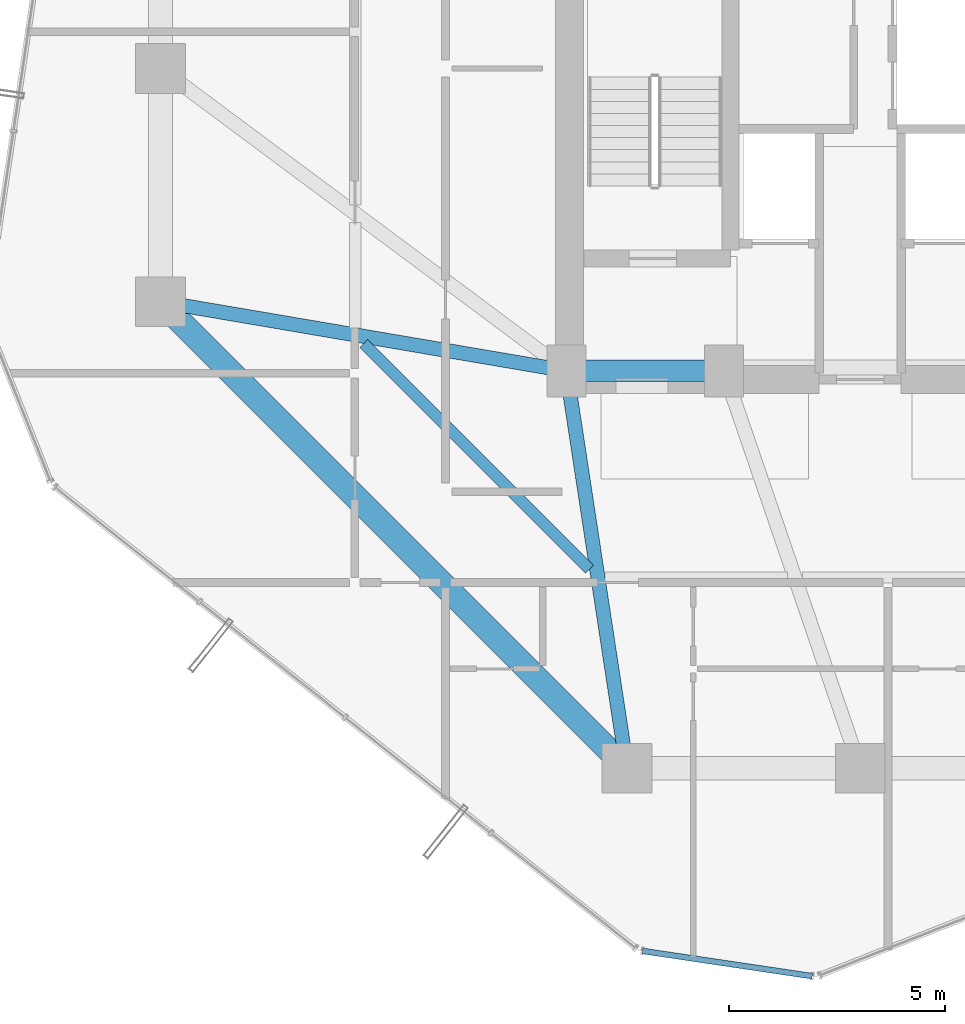
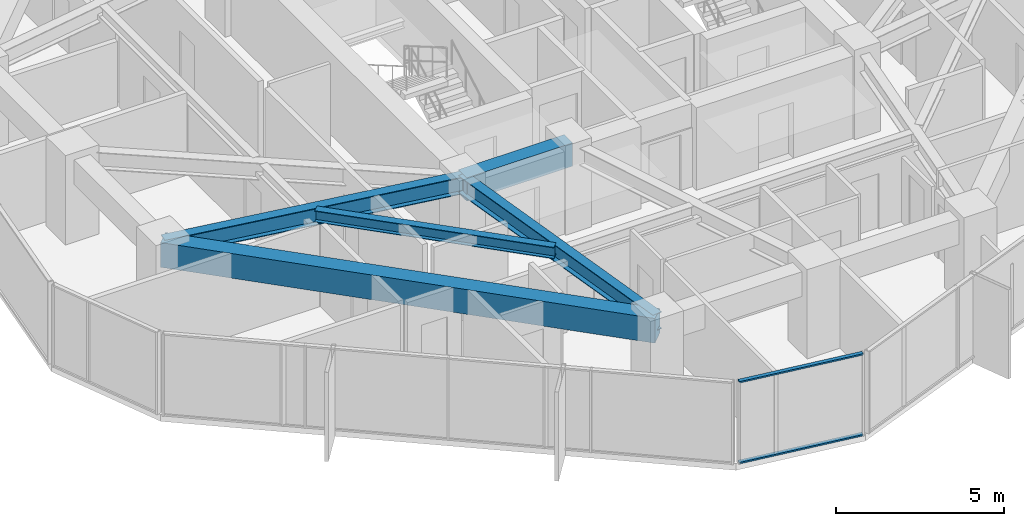
# One storey, part 5 of 29: 5 beams, 2 members, 1 element without a shape of its own.
"""IFC4 building model written with IfcOpenShell, lengths in metres."""

import ifcopenshell
import ifcopenshell.guid

model = None  # the IFC model being written
_history = None  # IfcOwnerHistory: only IFC2X3 demands one
_inside = {}  # id of a spatial element -> (the spatial element, [elements in it])
_under = {}  # id of a project, library or spatial element -> (it, [spatial elements below it])
_declared = {}  # id of a project -> (the project, [libraries it declares])
_typed = {}  # id of a type object -> (the type object, [elements of that type])
_made_of = {}  # id of a material, layer set ... -> (it, [elements and type objects made of it])


def new_model(schema):
    """Start an empty IFC model of exactly this schema.

    Asked for "IFC4X3", IfcOpenShell would pick the latest addendum, in which some entities
    have other attributes; the version numbers below select the first issue.
    IFC2X3 requires an IfcOwnerHistory on every rooted entity: one is made here for all.
    """
    global model, _history
    if schema == "IFC4X3":
        model = ifcopenshell.file(schema_version=(4, 3, 0, 0))
    else:
        model = ifcopenshell.file(schema=schema)
    _inside.clear()
    _under.clear()
    _declared.clear()
    _typed.clear()
    _made_of.clear()
    _history = None
    if model.schema == "IFC2X3":
        org = make("IfcOrganization", Name="unknown")
        user = make(
            "IfcPersonAndOrganization",
            ThePerson=make("IfcPerson", FamilyName="unknown"),
            TheOrganization=org,
        )
        app = make(
            "IfcApplication",
            ApplicationDeveloper=org,
            Version="unknown",
            ApplicationFullName="unknown",
            ApplicationIdentifier="unknown",
        )
        _history = make(
            "IfcOwnerHistory",
            OwningUser=user,
            OwningApplication=app,
            ChangeAction="ADDED",
            CreationDate=0,
        )
    return model


def make(cls, **values):
    """One entity of the class cls with the attributes given. An attribute that is None is left unset."""
    return model.create_entity(
        cls, **{name: value for name, value in values.items() if value is not None}
    )


def rooted(cls, **values):
    """An entity with a GlobalId (a new one), such as an element, a storey or a relation."""
    return make(cls, GlobalId=ifcopenshell.guid.new(), OwnerHistory=_history, **values)


def si_unit(unit_type, name, prefix=None):
    """IfcSIUnit, for example si_unit("LENGTHUNIT", "METRE", prefix="MILLI")."""
    return make("IfcSIUnit", UnitType=unit_type, Prefix=prefix, Name=name)


def assignment(units):
    """IfcUnitAssignment: the units of a project."""
    return None if units is None else make("IfcUnitAssignment", Units=units)


def point(xyz):
    """IfcCartesianPoint."""
    return None if xyz is None else make("IfcCartesianPoint", Coordinates=xyz)


def direction(xyz):
    """IfcDirection."""
    return None if xyz is None else make("IfcDirection", DirectionRatios=xyz)


def frame(location, z_axis=None, x_axis=None):
    """IfcAxis2Placement3D, a coordinate frame: its origin and axes. An axis left out is left unset."""
    return make(
        "IfcAxis2Placement3D",
        Location=point(location),
        Axis=direction(z_axis),
        RefDirection=direction(x_axis),
    )


def frame_2d(location, x_axis=None):
    """IfcAxis2Placement2D, a coordinate frame in the plane: its origin and x axis."""
    return make(
        "IfcAxis2Placement2D", Location=point(location), RefDirection=direction(x_axis)
    )


def origin():
    """The frame at (0, 0, 0) with its axes left unset."""
    return frame((0.0, 0.0, 0.0))


def origin_2d():
    """The frame at (0, 0) in the plane with its x axis left unset."""
    return frame_2d((0.0, 0.0))


def place(relative_to, where):
    """IfcLocalPlacement: puts the frame where relative to a parent placement (None: the world)."""
    return make(
        "IfcLocalPlacement", PlacementRelTo=relative_to, RelativePlacement=where
    )


def context(
    kind, dimensions, precision=None, world=None, true_north=None, identifier=None
):
    """IfcGeometricRepresentationContext, for example the 3D "Model" context."""
    return make(
        "IfcGeometricRepresentationContext",
        ContextIdentifier=identifier,
        ContextType=kind,
        CoordinateSpaceDimension=dimensions,
        Precision=precision,
        WorldCoordinateSystem=world,
        TrueNorth=true_north,
    )


def subcontext(parent, identifier, kind, view, scale=None):
    """IfcGeometricRepresentationSubContext, for example "Body" below "Model"."""
    return make(
        "IfcGeometricRepresentationSubContext",
        ContextIdentifier=identifier,
        ContextType=kind,
        ParentContext=parent,
        TargetScale=scale,
        TargetView=view,
    )


def project(units=None, contexts=None):
    """IfcProject with its units and contexts."""
    return rooted(
        "IfcProject",
        Name="project",
        RepresentationContexts=contexts,
        UnitsInContext=assignment(units),
    )


def spatial(cls, under=None, at=None, **own):
    """A site, building, storey or space (cls), placed at a placement, below another one or the project."""
    s = rooted(cls, ObjectPlacement=at, **own)
    if under is not None:
        _under.setdefault(under.id(), (under, []))[1].append(s)
    return s


def profile(cls, at=None, kind="AREA", **sizes):
    """A parametric profile (cls). Its sizes go by their IFC names, for example OverallWidth=200.0."""
    return make(cls, ProfileType=kind, Position=at, **sizes)


def rectangle(**sizes):
    """IfcRectangleProfileDef."""
    return profile("IfcRectangleProfileDef", **sizes)


def hollow_rectangle(**sizes):
    """IfcRectangleHollowProfileDef."""
    return profile("IfcRectangleHollowProfileDef", **sizes)


def i_section(**sizes):
    """IfcIShapeProfileDef."""
    return profile("IfcIShapeProfileDef", **sizes)


def extrude(swept, where, along, depth):
    """IfcExtrudedAreaSolid: the profile swept, set in the frame where, extruded along a direction by depth."""
    return make(
        "IfcExtrudedAreaSolid",
        SweptArea=swept,
        Position=where,
        ExtrudedDirection=direction(along),
        Depth=depth,
    )


def shape(context_of_items, identifier, shape_type, items):
    """IfcShapeRepresentation: the items that make up one representation, for example the "Body"."""
    return make(
        "IfcShapeRepresentation",
        ContextOfItems=context_of_items,
        RepresentationIdentifier=identifier,
        RepresentationType=shape_type,
        Items=items,
    )


def source(mapping_origin, context_of_items, identifier, shape_type, items):
    """IfcRepresentationMap: a shape defined once, which mapped items show again and again."""
    return make(
        "IfcRepresentationMap",
        MappingOrigin=mapping_origin,
        MappedRepresentation=shape(context_of_items, identifier, shape_type, items),
    )


def transform(
    local_origin,
    x_axis=None,
    y_axis=None,
    z_axis=None,
    scale=None,
    scale2=None,
    scale3=None,
    uniform=True,
):
    """IfcCartesianTransformationOperator3D, or its non-uniform kind. x_axis, y_axis, z_axis: its Axis1, 2, 3."""
    if uniform:
        return make(
            "IfcCartesianTransformationOperator3D",
            Axis1=direction(x_axis),
            Axis2=direction(y_axis),
            LocalOrigin=point(local_origin),
            Scale=scale,
            Axis3=direction(z_axis),
        )
    return make(
        "IfcCartesianTransformationOperator3DnonUniform",
        Axis1=direction(x_axis),
        Axis2=direction(y_axis),
        LocalOrigin=point(local_origin),
        Scale=scale,
        Axis3=direction(z_axis),
        Scale2=scale2,
        Scale3=scale3,
    )


def mapped(mapping_source, mapping_target):
    """IfcMappedItem: shows the shape of a source again, moved by a transform."""
    return make(
        "IfcMappedItem", MappingSource=mapping_source, MappingTarget=mapping_target
    )


def material(Name=None, Category=None):
    """IfcMaterial."""
    return make("IfcMaterial", Name=Name, Category=Category)


def layer(
    of_material, thickness, ventilated=None, Name=None, Category=None, Priority=None
):
    """IfcMaterialLayer: one layer of a wall or slab, of a material (None: an air gap)."""
    return make(
        "IfcMaterialLayer",
        Material=of_material,
        LayerThickness=thickness,
        IsVentilated=ventilated,
        Name=Name,
        Category=Category,
        Priority=Priority,
    )


def layer_set(layers, Name=None):
    """IfcMaterialLayerSet."""
    return make("IfcMaterialLayerSet", MaterialLayers=layers, LayerSetName=Name)


def material_profile(
    of_material, cross_section, Name=None, Category=None, Priority=None
):
    """IfcMaterialProfile: a cross section and its material."""
    return make(
        "IfcMaterialProfile",
        Name=Name,
        Material=of_material,
        Profile=cross_section,
        Priority=Priority,
        Category=Category,
    )


def profile_set(profiles, Name=None, composite=None):
    """IfcMaterialProfileSet."""
    return make(
        "IfcMaterialProfileSet",
        Name=Name,
        MaterialProfiles=profiles,
        CompositeProfile=composite,
    )


def made_of(thing, what):
    """Note that an element or type object is made of a material, layer set ...; save() writes the relation."""
    if what is not None:
        _made_of.setdefault(what.id(), (what, []))[1].append(thing)
    return thing


def type_object(cls, material=None, **own):
    """A type object (cls), such as IfcWallType, which elements share."""
    return made_of(rooted(cls, **own), material)


def element(
    cls,
    number,
    at=None,
    inside=None,
    cuts=None,
    type_object=None,
    material=None,
    context=None,
    identifier="Body",
    shape_type=None,
    held_by="IfcProductDefinitionShape",
    body=None,
    shapes=None,
    **own,
):
    """One element of the class cls, such as IfcWall. Its Tag is "e" and its number.

    at: its placement. inside: the storey or other place that contains it. cuts: it is an
    opening in that element (IfcRelVoidsElement). A single representation is given by context,
    identifier, shape_type and body (its items); several are given by shapes. held_by: the class
    of the entity that holds the representations. save() writes the other relations.
    """
    e = rooted(cls, Tag="e%d" % number, ObjectPlacement=at, **own)
    if body is not None:
        shapes = [shape(context, identifier, shape_type, body)]
    if shapes is not None:
        e.Representation = make(held_by, Representations=shapes)
    if inside is not None:
        _inside.setdefault(inside.id(), (inside, []))[1].append(e)
    if cuts is not None:
        rooted(
            "IfcRelVoidsElement", RelatingBuildingElement=cuts, RelatedOpeningElement=e
        )
    if type_object is not None:
        _typed.setdefault(type_object.id(), (type_object, []))[1].append(e)
    return made_of(e, material)


def aggregate(whole, parts):
    """IfcRelAggregates: a whole, such as a stair, and the parts it consists of."""
    return rooted("IfcRelAggregates", RelatingObject=whole, RelatedObjects=parts)


def save(model, path):
    """Write the relations noted so far, then the file.

    IfcRelAggregates (storeys below a building ...), IfcRelContainedInSpatialStructure (elements
    in a storey), IfcRelDefinesByType, IfcRelAssociatesMaterial and IfcRelDeclares: one each for
    every whole, place, type object, material and project.
    """
    for whole, parts in _under.values():
        aggregate(whole, parts)
    for where, things in _inside.values():
        rooted(
            "IfcRelContainedInSpatialStructure",
            RelatedElements=things,
            RelatingStructure=where,
        )
    for kind, things in _typed.values():
        rooted("IfcRelDefinesByType", RelatedObjects=things, RelatingType=kind)
    for what, things in _made_of.values():
        rooted("IfcRelAssociatesMaterial", RelatedObjects=things, RelatingMaterial=what)
    for by, libraries in _declared.values():
        rooted("IfcRelDeclares", RelatingContext=by, RelatedDefinitions=libraries)
    model.write(path)


model = new_model("IFC4")

# Units and contexts
model_context = context("Model", 3, precision=1e-05, world=origin(), true_north=direction((0.0, 1.0)))
body_context = subcontext(model_context, "Body", "Model", "MODEL_VIEW")
ifc_project = project(units=[si_unit("LENGTHUNIT", "METRE"), si_unit("AREAUNIT", "SQUARE_METRE"), si_unit("VOLUMEUNIT", "CUBIC_METRE"), si_unit("PLANEANGLEUNIT", "RADIAN"), si_unit("MASSUNIT", "GRAM", prefix="KILO")], contexts=[model_context])

# Site, building, storey
site_placement = place(None, origin())
site = spatial("IfcSite", under=ifc_project, at=site_placement, CompositionType="ELEMENT")
building_placement = place(site_placement, origin())
building = spatial("IfcBuilding", under=site, at=building_placement, Name="Veraguas Prism Commons", CompositionType="ELEMENT")
storey_placement = place(building_placement, frame((0.0, 0.0, 99.199951171875)))
storey = spatial("IfcBuildingStorey", under=building, at=storey_placement, Name="L27", CompositionType="ELEMENT", Elevation=99.199951171875)

# Beams
ifc_material_1 = material(Name="Concrete C50/60", Category="concrete")
ifc_material_profile_1 = material_profile(ifc_material_1, rectangle(XDim=0.5, YDim=0.85009765625, at=origin_2d()), Name="RC500X850")
ifc_profile_set_1 = profile_set([ifc_material_profile_1], Name="Concrete C50/60")
beam_type_1 = type_object("IfcBeamType", Name="Core Coupling Beam RC 500x850", PredefinedType="BEAM", material=ifc_profile_set_1)
beam_1_placement = place(storey_placement, frame((17.199951171875, 17.0, 2.574951171875), z_axis=(1.0, 0.0, 0.0), x_axis=(0.0, 1.0, 0.0)))
element("IfcBeam", 1, at=beam_1_placement, inside=storey, type_object=beam_type_1, Name="Core Coupling Beam L27-CRS1", PredefinedType="BEAM", context=body_context, shape_type="SweptSolid", body=[
    extrude(rectangle(XDim=0.5, YDim=0.85009765625, at=origin_2d()), origin(), (0.0, 0.0, 1.0), 3.650146484375),
])
ifc_material_2 = material(Name="Steel ASTM A992 Grade 50", Category="steel")
ifc_material_profile_2 = material_profile(ifc_material_2, i_section(OverallWidth=0.260986328125, OverallDepth=0.419921875, WebThickness=0.01171875, FlangeThickness=0.019287109375, at=origin_2d()), Name="W410X114")
ifc_profile_set_2 = profile_set([ifc_material_profile_2], Name="Steel ASTM A992 Grade 50")
beam_type_2 = type_object("IfcBeamType", Name="Lower Floor Joist W410x114", PredefinedType="JOIST", material=ifc_profile_set_2)
beam_2_placement = place(storey_placement, frame((12.510009765625, 17.634033203125, 2.7900390625), z_axis=(0.707090260193, -0.707123301794, 0.0), x_axis=(0.707123301794, 0.707090260193, 0.0)))
element("IfcBeam", 2, at=beam_2_placement, inside=storey, type_object=beam_type_2, Name="Composite Floor Joist L27-JS09", PredefinedType="JOIST", context=body_context, shape_type="SweptSolid", body=[
    extrude(i_section(OverallWidth=0.260986328125, OverallDepth=0.419921875, WebThickness=0.01171875, FlangeThickness=0.019287109375, at=origin_2d()), origin(), (0.0, 0.0, 1.0), 7.388916015625),
])
ifc_material_profile_3 = material_profile(ifc_material_1, rectangle(XDim=0.550048828125, YDim=0.89990234375, at=origin_2d()), Name="RC550X900")
ifc_profile_set_3 = profile_set([ifc_material_profile_3], Name="Concrete C50/60")
beam_type_3 = type_object("IfcBeamType", Name="Perimeter Spandrel Lower RC 550x900", PredefinedType="SPANDREL", material=ifc_profile_set_3)
beam_3_placement = place(storey_placement, frame((7.800048828125, 18.60009765625, 2.550048828125), z_axis=(0.707106781187, -0.707106781187, 0.0), x_axis=(0.707106781187, 0.707106781187, 0.0)))
element("IfcBeam", 3, at=beam_3_placement, inside=storey, type_object=beam_type_3, Name="Perimeter Spandrel Beam L27-SP09", PredefinedType="SPANDREL", context=body_context, shape_type="SweptSolid", body=[
    extrude(rectangle(XDim=0.550048828125, YDim=0.89990234375, at=origin_2d()), origin(), (0.0, 0.0, 1.0), 15.273681640625),
])
ifc_material_profile_4 = material_profile(ifc_material_2, i_section(OverallWidth=0.327880859375, OverallDepth=0.6220703125, WebThickness=0.015380859375, FlangeThickness=0.0244140625, at=origin_2d()), Name="W610X195")
ifc_profile_set_4 = profile_set([ifc_material_profile_4], Name="Steel ASTM A992 Grade 50")
beam_type_4 = type_object("IfcBeamType", Name="Zone 2 Radial Girder W610x195", PredefinedType="BEAM", material=ifc_profile_set_4)
beam_4_placement = place(storey_placement, frame((7.800048828125, 18.60009765625, 2.68896484375), z_axis=(0.985819187151, -0.1678109956, 0.0), x_axis=(0.1678109956, 0.985819187151, 0.0)))
element("IfcBeam", 4, at=beam_4_placement, inside=storey, type_object=beam_type_4, Name="Radial Floor Girder L27-RD09", PredefinedType="BEAM", context=body_context, shape_type="SweptSolid", body=[
    extrude(i_section(OverallWidth=0.327880859375, OverallDepth=0.6220703125, WebThickness=0.015380859375, FlangeThickness=0.0244140625, at=origin_2d()), origin(), (0.0, 0.0, 1.0), 9.53515625),
])
beam_5_placement = place(storey_placement, frame((18.60009765625, 7.800048828125, 2.68896484375), z_axis=(-0.150458162136, 0.98861637729, 0.0), x_axis=(-0.98861637729, -0.150458162136, 0.0)))
element("IfcBeam", 5, at=beam_5_placement, inside=storey, type_object=beam_type_4, Name="Radial Floor Girder L27-RD10", PredefinedType="BEAM", context=body_context, shape_type="SweptSolid", body=[
    extrude(i_section(OverallWidth=0.327880859375, OverallDepth=0.6220703125, WebThickness=0.015380859375, FlangeThickness=0.0244140625, at=origin_2d()), origin(), (0.0, 0.0, 1.0), 9.305908203125),
])

# Curtain wall, members
ifc_material_3 = material(Name="Anodised aluminium EN AW-6063 T6", Category="aluminium")
ifc_layer = layer(ifc_material_3, 0.169921875, Name="Unitised Flush Curtain Wall Zone 2", Category="aluminium")
ifc_layer_set = layer_set([ifc_layer], Name="Anodised aluminium EN AW-6063 T6")
curtain_wall_type = type_object("IfcCurtainWallType", Name="Unitised Flush Curtain Wall Zone 2", PredefinedType="NOTDEFINED", material=ifc_layer_set)
curtain_wall_placement = place(storey_placement, origin())
curtain_wall = element("IfcCurtainWall", 6, at=curtain_wall_placement, inside=storey, type_object=curtain_wall_type, Name="Chamfer Curtain Wall L27-C5", PredefinedType="NOTDEFINED")
ifc_material_profile_5 = material_profile(ifc_material_3, hollow_rectangle(XDim=0.054931640625, YDim=0.135009765625, WallThickness=0.0029296875, at=origin_2d()), Name="AL55X135X3")
ifc_profile_set_5 = profile_set([ifc_material_profile_5], Name="Anodised aluminium EN AW-6063 T6")
member_type = type_object("IfcMemberType", Name="Curtain Wall Transom Standard AL 55x135x3", PredefinedType="USERDEFINED", material=ifc_profile_set_5)
shared_shape = source(origin(), body_context, "Body", "SweptSolid", [
    extrude(hollow_rectangle(XDim=0.054931640625, YDim=0.135009765625, WallThickness=0.0029296875, at=origin_2d()), origin(), (0.0, 0.0, 1.0), 3.972900390625),
])
member_1_placement = place(storey_placement, frame((18.9599609375, 3.5673828125, 0.027587890625), z_axis=(0.989165486732, -0.146804767833, 0.0), x_axis=(0.0, 0.0, 1.0)))
member_1 = element("IfcMember", 7, at=member_1_placement, type_object=member_type, Name="CW-Z2 Transom 1", ObjectType="TRANSOM", PredefinedType="USERDEFINED", context=body_context, shape_type="MappedRepresentation", body=[
    mapped(shared_shape, transform((0.0, 0.0, 0.0), scale=1.0)),
])
member_2_placement = place(storey_placement, frame((18.9599609375, 3.5673828125, 2.97265625), z_axis=(0.989165486732, -0.146804767833, 0.0), x_axis=(0.0, 0.0, 1.0)))
member_2 = element("IfcMember", 8, at=member_2_placement, type_object=member_type, Name="CW-Z2 Transom 2", ObjectType="TRANSOM", PredefinedType="USERDEFINED", context=body_context, shape_type="MappedRepresentation", body=[
    mapped(shared_shape, transform((0.0, 0.0, 0.0), scale=1.0)),
])
aggregate(curtain_wall, [member_1, member_2])

save(model, "model.ifc")
